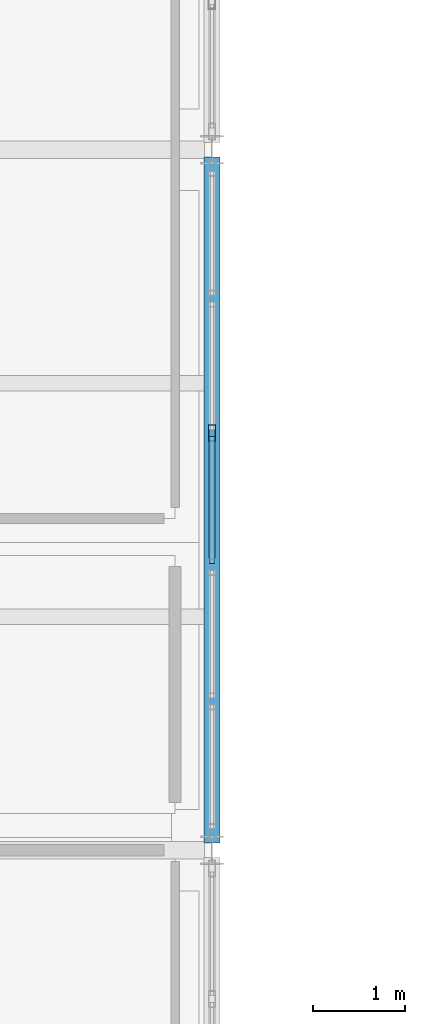
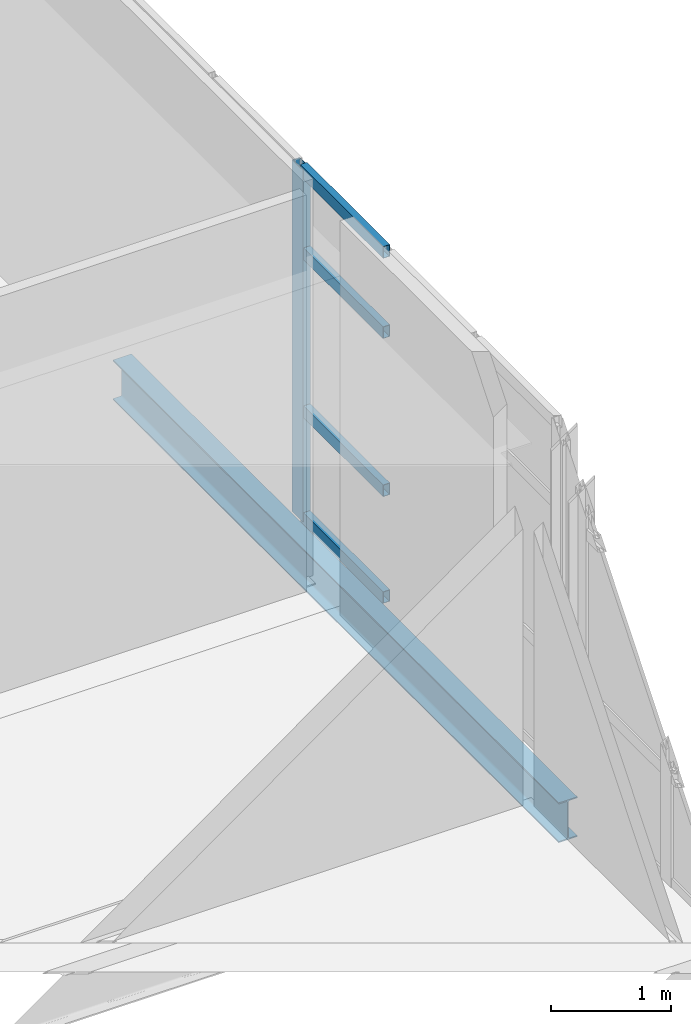
# One storey, part 77 of 174: 5 members, 1 beam, 1 element without a shape of its own.
"""IFC4 building model written with IfcOpenShell, lengths in metres."""

from ifc_helpers import new_model, si_unit, direction, frame, origin, origin_2d, place, context, subcontext, project, spatial, hollow_rectangle, i_section, extrude, material, material_profile, profile_set, type_object, element, aggregate, save


model = new_model("IFC4")

# Units and contexts
model_context = context("Model", 3, precision=1e-05, world=origin(), true_north=direction((0.0, 1.0)))
body_context = subcontext(model_context, "Body", "Model", "MODEL_VIEW")
ifc_project = project(units=[si_unit("LENGTHUNIT", "METRE"), si_unit("AREAUNIT", "SQUARE_METRE"), si_unit("VOLUMEUNIT", "CUBIC_METRE"), si_unit("PLANEANGLEUNIT", "RADIAN"), si_unit("MASSUNIT", "GRAM", prefix="KILO")], contexts=[model_context])

# Site, building, storey
site_placement = place(None, origin())
site = spatial("IfcSite", under=ifc_project, at=site_placement, CompositionType="ELEMENT")
building_placement = place(site_placement, origin())
building = spatial("IfcBuilding", under=site, at=building_placement, Name="Caisbarro Railhouse Central Library", CompositionType="ELEMENT")
storey_placement = place(building_placement, frame((0.0, 0.0, 5.0400390625)))
storey = spatial("IfcBuildingStorey", under=building, at=storey_placement, Name="L01", CompositionType="ELEMENT", Elevation=5.0400390625)

# Beam
ifc_material_1 = material(Name="Steel ASTM A572 Grade 50", Category="steel")
ifc_material_profile_1 = material_profile(ifc_material_1, i_section(OverallWidth=0.177978515625, OverallDepth=0.406982421875, WebThickness=0.0078125, FlangeThickness=0.0126953125, FilletRadius=0.01611328125, at=origin_2d()), Name="W410X60.0")
ifc_profile_set_1 = profile_set([ifc_material_profile_1], Name="Steel ASTM A572 Grade 50")
beam_type = type_object("IfcBeamType", Name="BM-G10", PredefinedType="BEAM", material=ifc_profile_set_1)
beam_placement = place(storey_placement, frame((36.0, 91.280029296875, -0.403564453125), z_axis=(0.0, 1.0, 0.0), x_axis=(-1.0, 0.0, 0.0)))
element("IfcBeam", 1, at=beam_placement, inside=storey, type_object=beam_type, Name="G10 beam L01 #1037", PredefinedType="BEAM", context=body_context, shape_type="SweptSolid", body=[
    extrude(i_section(OverallWidth=0.177978515625, OverallDepth=0.406982421875, WebThickness=0.0078125, FlangeThickness=0.0126953125, FilletRadius=0.01611328125, at=origin_2d()), origin(), (0.0, 0.0, 1.0), 7.43994140625),
])

# Curtain wall, members
ifc_material_2 = material(Name="Anodised architectural aluminium", Category="aluminium")
curtain_wall_type = type_object("IfcCurtainWallType", Name="CW-CW02", PredefinedType="NOTDEFINED", material=ifc_material_2)
curtain_wall_placement = place(storey_placement, origin())
curtain_wall = element("IfcCurtainWall", 2, at=curtain_wall_placement, inside=storey, type_object=curtain_wall_type, Name="CW02 curtain wall L01 #84", PredefinedType="NOTDEFINED")
ifc_material_profile_2 = material_profile(ifc_material_2, hollow_rectangle(XDim=0.074951171875, YDim=0.179931640625, WallThickness=0.00439453125, at=origin_2d()), Name="ALU-MUL-75X180")
ifc_profile_set_2 = profile_set([ifc_material_profile_2], Name="Anodised architectural aluminium")
member_type_1 = type_object("IfcMemberType", Name="CWM-M01", PredefinedType="MULLION", material=ifc_profile_set_2)
member_1_placement = place(storey_placement, frame((36.0, 95.72802734375, 0.0), z_axis=(0.0, 0.0, 1.0), x_axis=(-1.0, 0.0, 0.0)))
member_1 = element("IfcMember", 3, at=member_1_placement, type_object=member_type_1, Name="CW02 mullion 4", PredefinedType="MULLION", context=body_context, shape_type="SweptSolid", body=[
    extrude(hollow_rectangle(XDim=0.074951171875, YDim=0.179931640625, WallThickness=0.00439453125, at=origin_2d()), origin(), (0.0, 0.0, 1.0), 3.580078125),
])
ifc_material_profile_3 = material_profile(ifc_material_2, hollow_rectangle(XDim=0.06494140625, YDim=0.1201171875, WallThickness=0.00341796875, at=origin_2d()), Name="ALU-TRN-65X120")
ifc_profile_set_3 = profile_set([ifc_material_profile_3], Name="Anodised architectural aluminium")
member_type_2 = type_object("IfcMemberType", Name="CWT-T02", PredefinedType="USERDEFINED", material=ifc_profile_set_3)
member_2_placement = place(storey_placement, frame((36.0, 94.3095703125, 0.032470703125), z_axis=(0.0, 1.0, 0.0), x_axis=(-1.0, 0.0, 0.0)))
member_2 = element("IfcMember", 4, at=member_2_placement, type_object=member_type_2, Name="CW02 transom 3.1", ObjectType="TRANSOM", PredefinedType="USERDEFINED", context=body_context, shape_type="SweptSolid", body=[
    extrude(hollow_rectangle(XDim=0.06494140625, YDim=0.1201171875, WallThickness=0.00341796875, at=origin_2d()), origin(), (0.0, 0.0, 1.0), 1.380859375),
])
member_3_placement = place(storey_placement, frame((36.0, 94.3095703125, 1.119873046875), z_axis=(0.0, 1.0, 0.0), x_axis=(-1.0, 0.0, 0.0)))
member_3 = element("IfcMember", 5, at=member_3_placement, type_object=member_type_2, Name="CW02 transom 3.2", ObjectType="TRANSOM", PredefinedType="USERDEFINED", context=body_context, shape_type="SweptSolid", body=[
    extrude(hollow_rectangle(XDim=0.06494140625, YDim=0.1201171875, WallThickness=0.00341796875, at=origin_2d()), origin(), (0.0, 0.0, 1.0), 1.380859375),
])
member_4_placement = place(storey_placement, frame((36.0, 94.3095703125, 2.72998046875), z_axis=(0.0, 1.0, 0.0), x_axis=(-1.0, 0.0, 0.0)))
member_4 = element("IfcMember", 6, at=member_4_placement, type_object=member_type_2, Name="CW02 transom 3.3", ObjectType="TRANSOM", PredefinedType="USERDEFINED", context=body_context, shape_type="SweptSolid", body=[
    extrude(hollow_rectangle(XDim=0.06494140625, YDim=0.1201171875, WallThickness=0.00341796875, at=origin_2d()), origin(), (0.0, 0.0, 1.0), 1.380859375),
])
member_5_placement = place(storey_placement, frame((36.0, 94.3095703125, 3.54736328125), z_axis=(0.0, 1.0, 0.0), x_axis=(-1.0, 0.0, 0.0)))
member_5 = element("IfcMember", 7, at=member_5_placement, type_object=member_type_2, Name="CW02 transom 3.4", ObjectType="TRANSOM", PredefinedType="USERDEFINED", context=body_context, shape_type="SweptSolid", body=[
    extrude(hollow_rectangle(XDim=0.06494140625, YDim=0.1201171875, WallThickness=0.00341796875, at=origin_2d()), origin(), (0.0, 0.0, 1.0), 1.380859375),
])
aggregate(curtain_wall, [member_1, member_2, member_3, member_4, member_5])

save(model, "model.ifc")
